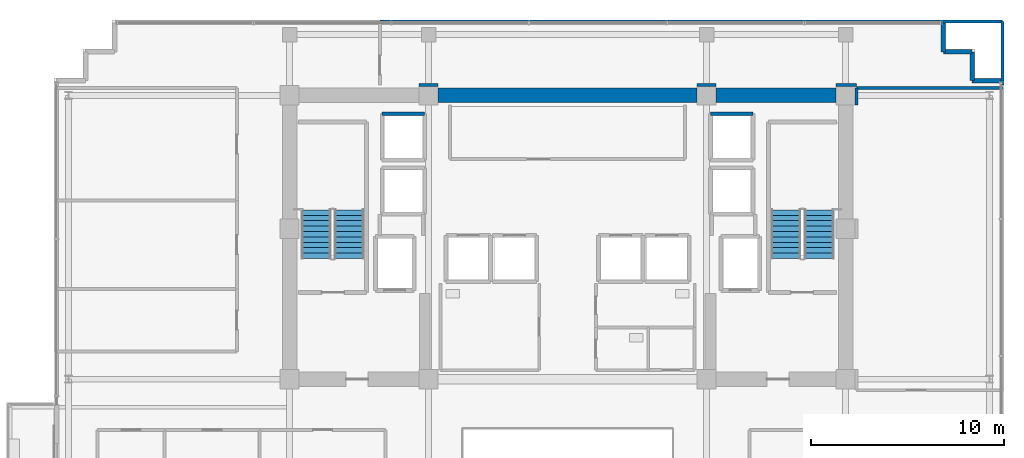
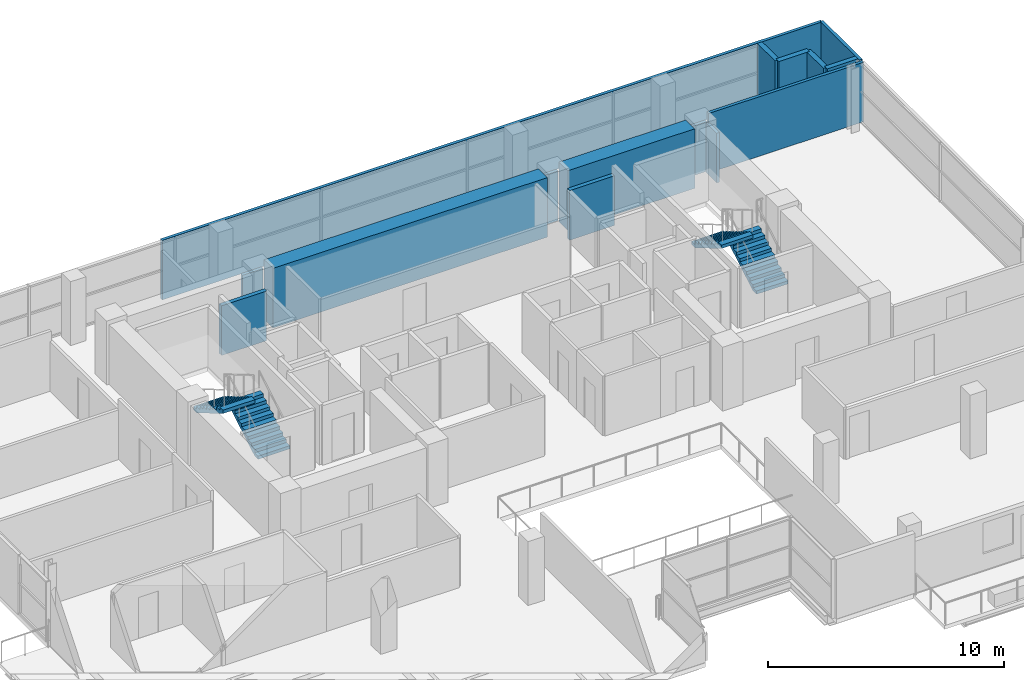
# One storey, part 17 of 21: 15 walls, 4 stair flights, 2 elements without a shape of their own.
"""IFC4 building model written with IfcOpenShell, lengths in metres."""

from ifc_helpers import new_model, si_unit, direction, frame, frame_2d, origin, place, context, subcontext, project, spatial, polyline, rectangle, outline, extrude, material, layer, layer_set, type_object, element, aggregate, save


model = new_model("IFC4")

# Units and contexts
model_context = context("Model", 3, precision=1e-05, world=origin(), true_north=direction((0.0, 1.0)))
body_context = subcontext(model_context, "Body", "Model", "MODEL_VIEW")
ifc_project = project(units=[si_unit("LENGTHUNIT", "METRE"), si_unit("AREAUNIT", "SQUARE_METRE"), si_unit("VOLUMEUNIT", "CUBIC_METRE"), si_unit("PLANEANGLEUNIT", "RADIAN"), si_unit("MASSUNIT", "GRAM", prefix="KILO")], contexts=[model_context])

# Site, building, storey
site_placement = place(None, origin())
site = spatial("IfcSite", under=ifc_project, at=site_placement, CompositionType="ELEMENT")
building_placement = place(site_placement, origin())
building = spatial("IfcBuilding", under=site, at=building_placement, Name="Zarnakvel Exchange Tower", CompositionType="ELEMENT")
storey_placement = place(building_placement, frame((0.0, 0.0, 166.0)))
storey = spatial("IfcBuildingStorey", under=building, at=storey_placement, Name="L46", CompositionType="ELEMENT", Elevation=166.0)

# Walls
ifc_material_1 = material(Name="Concrete C60/75", Category="concrete")
ifc_layer_1 = layer(ifc_material_1, 0.75)
ifc_layer_set_1 = layer_set([ifc_layer_1], Name="Concrete C60/75")
wall_type_1 = type_object("IfcWallType", Name="CW-C3", PredefinedType="SHEAR", material=ifc_layer_set_1)
wall_1_placement = place(storey_placement, frame((-6.699951171875, 13.5, 0.0), z_axis=(0.0, 0.0, 1.0), x_axis=(1.0, 0.0, 0.0)))
element("IfcWall", 1, at=wall_1_placement, inside=storey, type_object=wall_type_1, Name="L46 Rear Core Shear Wall N2 (CW-C3)", PredefinedType="SHEAR", context=body_context, shape_type="SweptSolid", body=[
    extrude(rectangle(XDim=13.39990234375, YDim=0.75, at=frame_2d((6.699951171875, 0.0))), origin(), (0.0, 0.0, 1.0), 3.074951171875),
])
wall_2_placement = place(storey_placement, frame((7.699951171875, 13.5, 0.0), z_axis=(0.0, 0.0, 1.0), x_axis=(1.0, 0.0, 0.0)))
element("IfcWall", 2, at=wall_2_placement, inside=storey, type_object=wall_type_1, Name="L46 Rear Core Shear Wall N3 (CW-C3)", PredefinedType="SHEAR", context=body_context, shape_type="SweptSolid", body=[
    extrude(rectangle(XDim=6.199951171875, YDim=0.75, at=frame_2d((3.10009765625, 0.0))), origin(), (0.0, 0.0, 1.0), 3.074951171875),
])
ifc_material_2 = material(Name="Precast concrete C40/50", Category="concrete")
ifc_layer_2 = layer(ifc_material_2, 0.239990234375)
ifc_layer_set_2 = layer_set([ifc_layer_2], Name="Precast concrete C40/50")
wall_type_2 = type_object("IfcWallType", Name="EW-02", PredefinedType="SOLIDWALL", material=ifc_layer_set_2)
for number, where, z_axis, x_axis, name in (
    (3, (19.4599609375, 15.760009765625, 0.0), (0.0, 0.0, 1.0), (0.0, 1.0, 0.0), "L46 Exterior Precast Spandrel Wall EWC-L46-07 (EW-02)"),
    (4, (20.9599609375, 15.760009765625, 0.0), (0.0, 0.0, 1.0), (-1.0, 0.0, 0.0), "L46 Exterior Precast Spandrel Wall EWC-L46-08 (EW-02)"),
    (5, (20.9599609375, 14.260009765625, 0.0), (0.0, 0.0, 1.0), (0.0, 1.0, 0.0), "L46 Exterior Precast Spandrel Wall EWC-L46-09 (EW-02)"),
    (6, (22.4599609375, 14.260009765625, 0.0), (0.0, 0.0, 1.0), (-1.0, 0.0, 0.0), "L46 Exterior Precast Spandrel Wall EWC-L46-10 (EW-02)"),
):
    element("IfcWall", number, at=place(storey_placement, frame(where, z_axis=z_axis, x_axis=x_axis)), inside=storey, type_object=wall_type_2, Name=name, PredefinedType="SOLIDWALL", context=body_context, shape_type="SweptSolid", body=[
        extrude(rectangle(XDim=1.5, YDim=0.239990234375, at=frame_2d((0.75, 0.0))), origin(), (0.0, 0.0, 1.0), 3.074951171875),
    ])
ifc_material_3 = material(Name="Fire-Rated Gypsum Stud Partition", Category="gypsum")
ifc_layer_3 = layer(ifc_material_3, 0.14990234375)
ifc_layer_set_3 = layer_set([ifc_layer_3], Name="Fire-Rated Gypsum Stud Partition")
wall_type_3 = type_object("IfcWallType", Name="PT-01", PredefinedType="PARTITIONING", material=ifc_layer_set_3)
wall_3_placement = place(storey_placement, frame((14.969970703125, 13.8798828125, 0.0), z_axis=(0.0, 0.0, 1.0), x_axis=(1.0, 0.0, 0.0)))
element("IfcWall", 7, at=wall_3_placement, inside=storey, type_object=wall_type_3, Name="L46 Partition Wall PWALL-L46-056 (PT-01)", PredefinedType="PARTITIONING", context=body_context, shape_type="SweptSolid", body=[
    extrude(rectangle(XDim=7.56005859375, YDim=0.14990234375, at=frame_2d((3.780029296875, 0.0))), origin(), (0.0, 0.0, 1.0), 3.074951171875),
])
wall_4_placement = place(storey_placement, frame((14.969970703125, 13.0, 0.0), z_axis=(0.0, 0.0, 1.0), x_axis=(0.0, 1.0, 0.0)))
element("IfcWall", 8, at=wall_4_placement, inside=storey, type_object=wall_type_3, Name="L46 Partition Wall PWALL-L46-059 (PT-01)", PredefinedType="PARTITIONING", context=body_context, shape_type="SweptSolid", body=[
    extrude(rectangle(XDim=0.8798828125, YDim=0.14990234375, at=frame_2d((0.43994140625, 0.0))), origin(), (0.0, 0.0, 1.0), 2.56494140625),
])
for number, where, z_axis, x_axis, name in (
    (9, (-6.699951171875, 14.030029296875, 0.0), (0.0, 0.0, 1.0), (-1.0, 0.0, 0.0), "L46 Partition Wall PWALL-L46-061 (PT-01)"),
    (10, (7.699951171875, 14.030029296875, 0.0), (0.0, 0.0, 1.0), (-1.0, 0.0, 0.0), "L46 Partition Wall PWALL-L46-062 (PT-01)"),
):
    element("IfcWall", number, at=place(storey_placement, frame(where, z_axis=z_axis, x_axis=x_axis)), inside=storey, type_object=wall_type_3, Name=name, PredefinedType="PARTITIONING", context=body_context, shape_type="SweptSolid", body=[
        extrude(rectangle(XDim=1.0, YDim=0.14990234375, at=frame_2d((0.5, 0.0))), origin(), (0.0, 0.0, 1.0), 2.56494140625),
    ])
wall_5_placement = place(storey_placement, frame((14.969970703125, 14.030029296875, 0.0), z_axis=(0.0, 0.0, 1.0), x_axis=(-1.0, 0.0, 0.0)))
element("IfcWall", 11, at=wall_5_placement, inside=storey, type_object=wall_type_3, Name="L46 Partition Wall PWALL-L46-063 (PT-01)", PredefinedType="PARTITIONING", context=body_context, shape_type="SweptSolid", body=[
    extrude(rectangle(XDim=1.070068359375, YDim=0.14990234375, at=frame_2d((0.53515625, 0.0))), origin(), (0.0, 0.0, 1.0), 2.56494140625),
])
wall_6_placement = place(storey_placement, frame((-9.719970703125, 17.330078125, 0.0), z_axis=(0.0, 0.0, 1.0), x_axis=(1.0, 0.0, 0.0)))
element("IfcWall", 12, at=wall_6_placement, inside=storey, type_object=wall_type_3, Name="L46 Partition Wall PWALL-L46-064 (PT-01)", PredefinedType="PARTITIONING", context=body_context, shape_type="SweptSolid", body=[
    extrude(rectangle(XDim=32.25, YDim=0.14990234375, at=frame_2d((16.125, 0.0))), origin(), (0.0, 0.0, 1.0), 3.074951171875),
])
wall_7_placement = place(storey_placement, frame((22.530029296875, 17.330078125, 0.0), z_axis=(0.0, 0.0, 1.0), x_axis=(0.0, -1.0, 0.0)))
element("IfcWall", 13, at=wall_7_placement, inside=storey, type_object=wall_type_3, Name="L46 Partition Wall PWALL-L46-066 (PT-01)", PredefinedType="PARTITIONING", context=body_context, shape_type="SweptSolid", body=[
    extrude(rectangle(XDim=3.300048828125, YDim=0.14990234375, at=frame_2d((1.64990234375, 0.0))), origin(), (0.0, 0.0, 1.0), 3.074951171875),
])
ifc_material_4 = material(Name="Concrete C40/50", Category="concrete")
ifc_layer_4 = layer(ifc_material_4, 0.199951171875)
ifc_layer_set_4 = layer_set([ifc_layer_4], Name="Concrete C40/50")
wall_type_4 = type_object("IfcWallType", Name="SW-01", PredefinedType="SOLIDWALL", material=ifc_layer_set_4)
for number, where, z_axis, x_axis, name in (
    (14, (-9.60009765625, 12.550048828125, 0.0), (0.0, 0.0, 1.0), (1.0, 0.0, 0.0), "L46 PL-10 Hoistway Wall North"),
    (15, (7.39990234375, 12.550048828125, 0.0), (0.0, 0.0, 1.0), (1.0, 0.0, 0.0), "L46 PL-12 Hoistway Wall North"),
):
    element("IfcWall", number, at=place(storey_placement, frame(where, z_axis=z_axis, x_axis=x_axis)), inside=storey, type_object=wall_type_4, Name=name, PredefinedType="SOLIDWALL", context=body_context, shape_type="SweptSolid", body=[
        extrude(rectangle(XDim=2.2001953125, YDim=0.199951171875, at=frame_2d((1.10009765625, 0.0))), origin(), (0.0, 0.0, 1.0), 2.56494140625),
    ])

# Stair, stair flights
stair_type = type_object("IfcStairType", Name="STR-01", PredefinedType="HALF_TURN_STAIR", material=ifc_material_4)
stair_1_placement = place(storey_placement, origin())
stair_1 = element("IfcStair", 16, at=stair_1_placement, inside=storey, type_object=stair_type, Name="L46 Protected Core Exit Stair ST-01", PredefinedType="HALF_TURN_STAIR")
stair_flight_type = type_object("IfcStairFlightType", Name="FLT-01", PredefinedType="STRAIGHT", material=ifc_material_4)
stair_flight_1_placement = place(storey_placement, frame((-11.31494140625, 5.050048828125, 0.0), z_axis=(0.0, 0.0, 1.0), x_axis=(0.0, 1.0, 0.0)))
stair_flight_1 = element("IfcStairFlight", 17, at=stair_flight_1_placement, type_object=stair_flight_type, Name="ST-01 flight 1", NumberOfRisers=10, NumberOfTreads=9, PredefinedType="STRAIGHT", RiserHeight=0.165, TreadLength=0.28, context=body_context, shape_type="SweptSolid", body=[
    extrude(outline(polyline([(0.0, 0.0), (0.0, 0.1650390625), (0.280029296875, 0.1650390625), (0.280029296875, 0.330078125), (0.56005859375, 0.330078125), (0.56005859375, 0.4951171875), (0.840087890625, 0.4951171875), (0.840087890625, 0.659912109375), (1.1201171875, 0.659912109375), (1.1201171875, 0.824951171875), (1.39990234375, 0.824951171875), (1.39990234375, 0.989990234375), (1.679931640625, 0.989990234375), (1.679931640625, 1.155029296875), (1.9599609375, 1.155029296875), (1.9599609375, 1.320068359375), (2.239990234375, 1.320068359375), (2.239990234375, 1.485107421875), (2.52001953125, 1.485107421875), (2.52001953125, 1.64990234375), (2.52001953125, 1.31103515625), (0.295166015625, 0.0), (0.0, 0.0)])), frame((0.0, 0.77490234375, 0.0), z_axis=(0.0, -1.0, 0.0), x_axis=(1.0, 0.0, 0.0)), (0.0, 0.0, 1.0), 1.550048828125),
])
stair_flight_2_placement = place(storey_placement, frame((-13.02490234375, 7.570068359375, 1.64990234375), z_axis=(0.0, 0.0, 1.0), x_axis=(0.0, -1.0, 0.0)))
stair_flight_2 = element("IfcStairFlight", 18, at=stair_flight_2_placement, type_object=stair_flight_type, Name="ST-01 flight 2", NumberOfRisers=10, NumberOfTreads=9, PredefinedType="STRAIGHT", RiserHeight=0.165, TreadLength=0.28, context=body_context, shape_type="SweptSolid", body=[
    extrude(outline(polyline([(0.0, 0.0), (0.0, 0.1650390625), (0.280029296875, 0.1650390625), (0.280029296875, 0.330078125), (0.56005859375, 0.330078125), (0.56005859375, 0.4951171875), (0.840087890625, 0.4951171875), (0.840087890625, 0.659912109375), (1.1201171875, 0.659912109375), (1.1201171875, 0.824951171875), (1.39990234375, 0.824951171875), (1.39990234375, 0.989990234375), (1.679931640625, 0.989990234375), (1.679931640625, 1.155029296875), (1.9599609375, 1.155029296875), (1.9599609375, 1.320068359375), (2.239990234375, 1.320068359375), (2.239990234375, 1.485107421875), (2.52001953125, 1.485107421875), (2.52001953125, 1.64990234375), (2.52001953125, 1.31103515625), (0.295166015625, 0.0), (0.0, 0.0)])), frame((0.0, 0.77490234375, 0.0), z_axis=(0.0, -1.0, 0.0), x_axis=(1.0, 0.0, 0.0)), (0.0, 0.0, 1.0), 1.550048828125),
])
aggregate(stair_1, [stair_flight_1, stair_flight_2])

stair_2_placement = place(storey_placement, origin())
stair_2 = element("IfcStair", 19, at=stair_2_placement, inside=storey, type_object=stair_type, Name="L46 Protected Core Exit Stair ST-02", PredefinedType="HALF_TURN_STAIR")
stair_flight_3_placement = place(storey_placement, frame((13.02490234375, 5.050048828125, 0.0), z_axis=(0.0, 0.0, 1.0), x_axis=(0.0, 1.0, 0.0)))
stair_flight_3 = element("IfcStairFlight", 20, at=stair_flight_3_placement, type_object=stair_flight_type, Name="ST-02 flight 1", NumberOfRisers=10, NumberOfTreads=9, PredefinedType="STRAIGHT", RiserHeight=0.165, TreadLength=0.28, context=body_context, shape_type="SweptSolid", body=[
    extrude(outline(polyline([(0.0, 0.0), (0.0, 0.1650390625), (0.280029296875, 0.1650390625), (0.280029296875, 0.330078125), (0.56005859375, 0.330078125), (0.56005859375, 0.4951171875), (0.840087890625, 0.4951171875), (0.840087890625, 0.659912109375), (1.1201171875, 0.659912109375), (1.1201171875, 0.824951171875), (1.39990234375, 0.824951171875), (1.39990234375, 0.989990234375), (1.679931640625, 0.989990234375), (1.679931640625, 1.155029296875), (1.9599609375, 1.155029296875), (1.9599609375, 1.320068359375), (2.239990234375, 1.320068359375), (2.239990234375, 1.485107421875), (2.52001953125, 1.485107421875), (2.52001953125, 1.64990234375), (2.52001953125, 1.31103515625), (0.295166015625, 0.0), (0.0, 0.0)])), frame((0.0, 0.77490234375, 0.0), z_axis=(0.0, -1.0, 0.0), x_axis=(1.0, 0.0, 0.0)), (0.0, 0.0, 1.0), 1.550048828125),
])
stair_flight_4_placement = place(storey_placement, frame((11.31494140625, 7.570068359375, 1.64990234375), z_axis=(0.0, 0.0, 1.0), x_axis=(0.0, -1.0, 0.0)))
stair_flight_4 = element("IfcStairFlight", 21, at=stair_flight_4_placement, type_object=stair_flight_type, Name="ST-02 flight 2", NumberOfRisers=10, NumberOfTreads=9, PredefinedType="STRAIGHT", RiserHeight=0.165, TreadLength=0.28, context=body_context, shape_type="SweptSolid", body=[
    extrude(outline(polyline([(0.0, 0.0), (0.0, 0.1650390625), (0.280029296875, 0.1650390625), (0.280029296875, 0.330078125), (0.56005859375, 0.330078125), (0.56005859375, 0.4951171875), (0.840087890625, 0.4951171875), (0.840087890625, 0.659912109375), (1.1201171875, 0.659912109375), (1.1201171875, 0.824951171875), (1.39990234375, 0.824951171875), (1.39990234375, 0.989990234375), (1.679931640625, 0.989990234375), (1.679931640625, 1.155029296875), (1.9599609375, 1.155029296875), (1.9599609375, 1.320068359375), (2.239990234375, 1.320068359375), (2.239990234375, 1.485107421875), (2.52001953125, 1.485107421875), (2.52001953125, 1.64990234375), (2.52001953125, 1.31103515625), (0.295166015625, 0.0), (0.0, 0.0)])), frame((0.0, 0.77490234375, 0.0), z_axis=(0.0, -1.0, 0.0), x_axis=(1.0, 0.0, 0.0)), (0.0, 0.0, 1.0), 1.550048828125),
])
aggregate(stair_2, [stair_flight_3, stair_flight_4])

save(model, "model.ifc")
